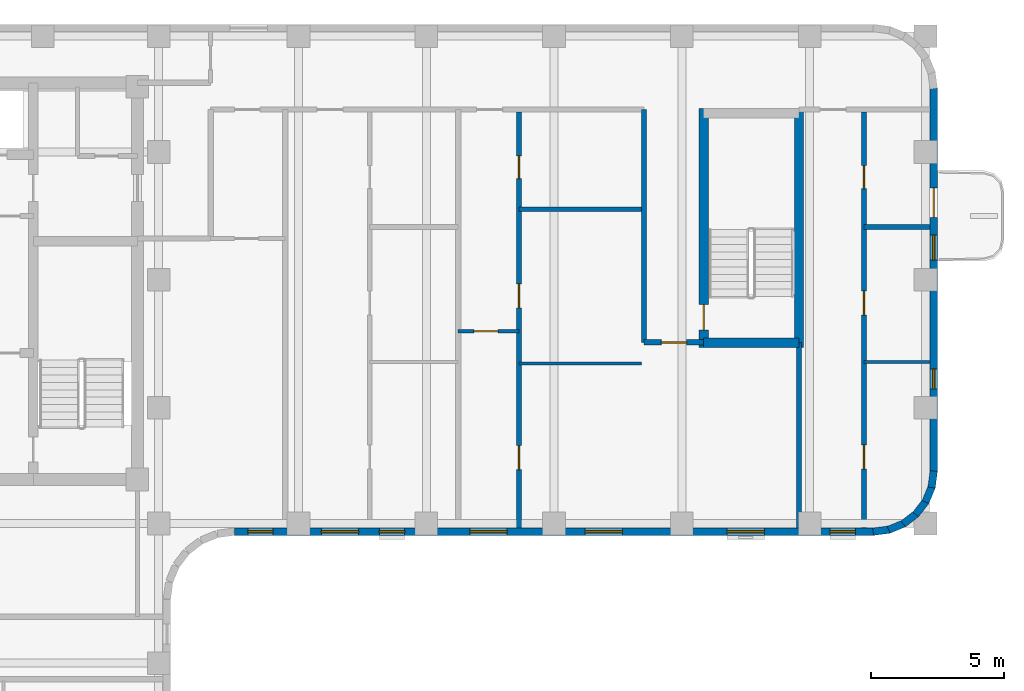
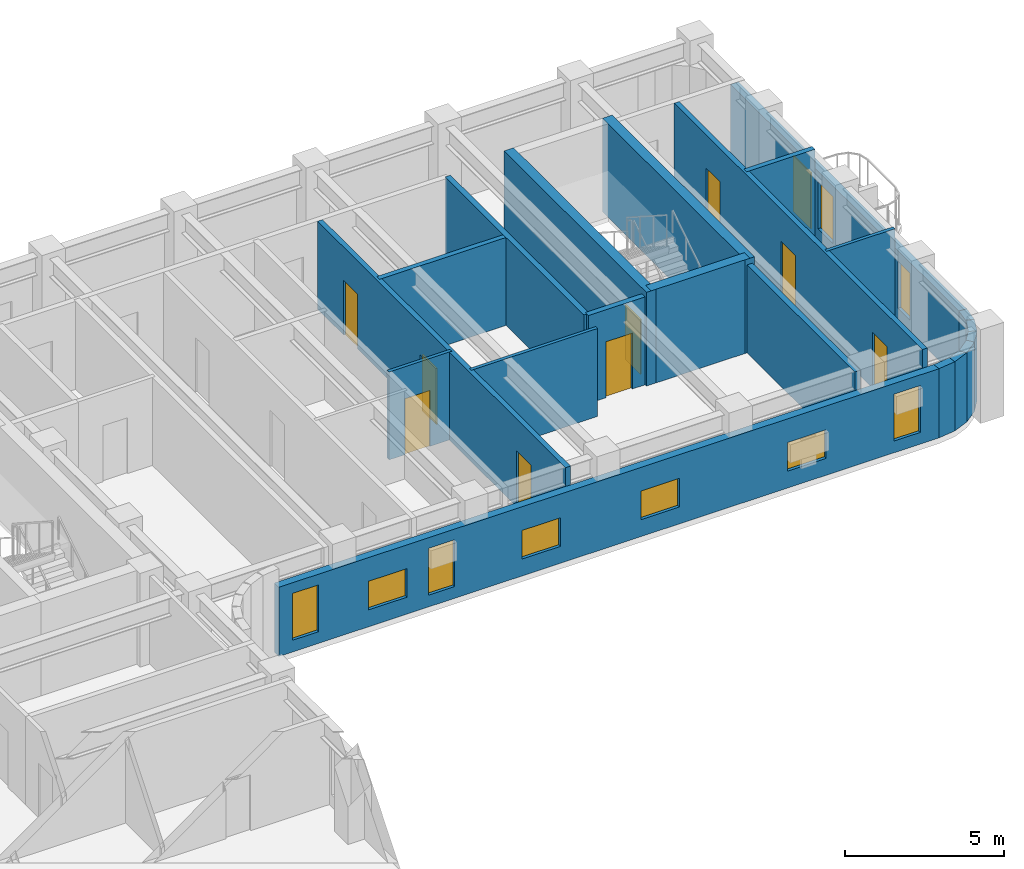
# One storey, part 5 of 10: 21 walls, 10 doors, 9 windows, 19 openings.
"""IFC4 building model written with IfcOpenShell, lengths in metres."""

from ifc_helpers import new_model, si_unit, direction, frame, frame_2d, origin, place, context, subcontext, project, spatial, rectangle, extrude, material, layer, layer_set, type_object, element, fill, save


model = new_model("IFC4")

# Units and contexts
model_context = context("Model", 3, precision=1e-05, world=origin(), true_north=direction((0.0, 1.0)))
body_context = subcontext(model_context, "Body", "Model", "MODEL_VIEW")
ifc_project = project(units=[si_unit("LENGTHUNIT", "METRE"), si_unit("AREAUNIT", "SQUARE_METRE"), si_unit("VOLUMEUNIT", "CUBIC_METRE"), si_unit("PLANEANGLEUNIT", "RADIAN"), si_unit("MASSUNIT", "GRAM", prefix="KILO")], contexts=[model_context])

# Site, building, storey
site_placement = place(None, origin())
site = spatial("IfcSite", under=ifc_project, at=site_placement, CompositionType="ELEMENT")
building_placement = place(site_placement, origin())
building = spatial("IfcBuilding", under=site, at=building_placement, Name="Orvandelia Arch Residences", CompositionType="ELEMENT")
storey_placement = place(building_placement, frame((0.0, 0.0, 207.39990234375)))
storey = spatial("IfcBuildingStorey", under=building, at=storey_placement, Name="L54", CompositionType="ELEMENT", Elevation=207.39990234375)

# Wall, opening, door
ifc_material_1 = material(Name="Concrete C50/60", Category="concrete")
ifc_layer_1 = layer(ifc_material_1, 0.35009765625, Name="Concrete C50/60", Category="concrete")
ifc_layer_set_1 = layer_set([ifc_layer_1], Name="Concrete C50/60")
wall_type_1 = type_object("IfcWallType", Name="WL-CORE-350", PredefinedType="SHEAR", material=ifc_layer_set_1)
wall_1_placement = place(storey_placement, frame((44.02001953125, 35.864990234375, 0.0), z_axis=(0.0, 0.0, 1.0), x_axis=(0.0, 1.0, 0.0)))
wall_1 = element("IfcWall", 1, at=wall_1_placement, inside=storey, type_object=wall_type_1, Name="East Stair Core Shear Wall L54-W", PredefinedType="SHEAR", context=body_context, shape_type="SweptSolid", body=[
    extrude(rectangle(XDim=8.969970703125, YDim=0.35009765625, at=frame_2d((4.48486328125, 0.0))), origin(), (0.0, 0.0, 1.0), 3.60009765625),
])
opening_1_placement = place(wall_1_placement, frame((0.64990234375, 0.0, 0.0)))
opening_1 = element("IfcOpeningElement", 2, at=opening_1_placement, cuts=wall_1, Name="Opening D7", PredefinedType="OPENING", context=body_context, shape_type="SweptSolid", body=[
    extrude(rectangle(XDim=0.949951171875, YDim=2.10009765625, at=frame_2d((0.47509765625, 1.050048828125))), frame((0.0, 0.18505859375, 0.0), z_axis=(0.0, -1.0, 0.0), x_axis=(1.0, 0.0, 0.0)), (0.0, 0.0, 1.0), 0.3701171875),
])
ifc_material_2 = material(Name="Pressurised Stairwell Fire Door")
door_type_1 = type_object("IfcDoorType", Name="DR-STAIR-950", OperationType="NOTDEFINED", PredefinedType="DOOR", material=ifc_material_2)
door_1_placement = place(opening_1_placement, origin())
door_1 = element("IfcDoor", 3, at=door_1_placement, inside=storey, type_object=door_type_1, Name="East Stairwell ST-3 Fire Door L54", OperationType="SINGLE_SWING_LEFT", OverallHeight=2.10009765625, OverallWidth=0.949951171875, PredefinedType="DOOR", context=body_context, shape_type="SweptSolid", body=[
    extrude(rectangle(XDim=0.949951171875, YDim=2.10009765625, at=frame_2d((0.47509765625, 1.050048828125))), frame((0.0, 0.02490234375, 0.0), z_axis=(0.0, -1.0, 0.0), x_axis=(1.0, 0.0, 0.0)), (0.0, 0.0, 1.0), 0.050048828125),
])
fill(opening_1, door_1)

# Walls
wall_2_placement = place(storey_placement, frame((47.60009765625, 35.864990234375, 0.0), z_axis=(0.0, 0.0, 1.0), x_axis=(0.0, 1.0, 0.0)))
element("IfcWall", 4, at=wall_2_placement, inside=storey, type_object=wall_type_1, Name="East Stair Core Shear Wall L54-E", PredefinedType="SHEAR", context=body_context, shape_type="SweptSolid", body=[
    extrude(rectangle(XDim=8.969970703125, YDim=0.35009765625, at=frame_2d((4.48486328125, 0.0))), origin(), (0.0, 0.0, 1.0), 3.60009765625),
])
wall_3_placement = place(storey_placement, frame((44.02001953125, 36.0400390625, 0.0), z_axis=(0.0, 0.0, 1.0), x_axis=(1.0, 0.0, 0.0)))
element("IfcWall", 5, at=wall_3_placement, inside=storey, type_object=wall_type_1, Name="East Stair Core Shear Wall L54-S", PredefinedType="SHEAR", context=body_context, shape_type="SweptSolid", body=[
    extrude(rectangle(XDim=3.580078125, YDim=0.35009765625, at=frame_2d((1.7900390625, 0.0))), origin(), (0.0, 0.0, 1.0), 3.60009765625),
])
ifc_material_3 = material(Name="Fire-Rated Corridor Partition")
ifc_layer_2 = layer(ifc_material_3, 0.199951171875, Name="Fire-Rated Corridor Partition")
ifc_layer_set_2 = layer_set([ifc_layer_2], Name="Fire-Rated Corridor Partition")
wall_type_2 = type_object("IfcWallType", Name="WL-CORR-200", PredefinedType="PARTITIONING", material=ifc_layer_set_2)
wall_4_placement = place(storey_placement, frame((41.780029296875, 36.050048828125, 0.0), z_axis=(0.0, 0.0, 1.0), x_axis=(0.0, 1.0, 0.0)))
element("IfcWall", 6, at=wall_4_placement, inside=storey, type_object=wall_type_2, Name="Interior Partition Wall WL-L54-EN2-SW", PredefinedType="PARTITIONING", context=body_context, shape_type="SweptSolid", body=[
    extrude(rectangle(XDim=8.75, YDim=0.199951171875, at=frame_2d((4.375, 0.0))), origin(), (0.0, 0.0, 1.0), 3.380126953125),
])

# Wall, opening, door
wall_5_placement = place(storey_placement, frame((41.780029296875, 36.050048828125, 0.0), z_axis=(0.0, 0.0, 1.0), x_axis=(1.0, 0.0, 0.0)))
wall_5 = element("IfcWall", 7, at=wall_5_placement, inside=storey, type_object=wall_type_2, Name="Interior Partition Wall WL-L54-EN2-SS", PredefinedType="PARTITIONING", context=body_context, shape_type="SweptSolid", body=[
    extrude(rectangle(XDim=2.239990234375, YDim=0.199951171875, at=frame_2d((1.1201171875, 0.0))), origin(), (0.0, 0.0, 1.0), 3.380126953125),
])
opening_2_placement = place(wall_5_placement, frame((0.64990234375, 0.0, 0.0)))
opening_2 = element("IfcOpeningElement", 8, at=opening_2_placement, cuts=wall_5, Name="Opening D2", PredefinedType="OPENING", context=body_context, shape_type="SweptSolid", body=[
    extrude(rectangle(XDim=0.949951171875, YDim=2.14990234375, at=frame_2d((0.47509765625, 1.074951171875))), frame((0.0, 0.10986328125, 0.0), z_axis=(0.0, -1.0, 0.0), x_axis=(1.0, 0.0, 0.0)), (0.0, 0.0, 1.0), 0.219970703125),
])
ifc_material_4 = material(Name="Solid-Core Timber Interior Fire Door", Category="wood")
door_type_2 = type_object("IfcDoorType", Name="DR-APT-950", OperationType="NOTDEFINED", PredefinedType="DOOR", material=ifc_material_4)
door_2_placement = place(opening_2_placement, origin())
door_2 = element("IfcDoor", 9, at=door_2_placement, inside=storey, type_object=door_type_2, Name="DR-L54-EN2SLN", OperationType="SINGLE_SWING_LEFT", OverallHeight=2.14990234375, OverallWidth=0.949951171875, PredefinedType="DOOR", context=body_context, shape_type="SweptSolid", body=[
    extrude(rectangle(XDim=0.949951171875, YDim=2.14990234375, at=frame_2d((0.47509765625, 1.074951171875))), frame((0.0, 0.02490234375, 0.0), z_axis=(0.0, -1.0, 0.0), x_axis=(1.0, 0.0, 0.0)), (0.0, 0.0, 1.0), 0.050048828125),
])
fill(opening_2, door_2)

# Wall
ifc_material_5 = material(Name="Concrete C40/50", Category="concrete")
ifc_layer_3 = layer(ifc_material_5, 0.199951171875, Name="Concrete C40/50", Category="concrete")
ifc_layer_set_3 = layer_set([ifc_layer_3], Name="Concrete C40/50")
wall_type_3 = type_object("IfcWallType", Name="WL-DEM-200", PredefinedType="SOLIDWALL", material=ifc_layer_set_3)
wall_6_placement = place(storey_placement, frame((47.60009765625, 29.080078125, 0.0), z_axis=(0.0, 0.0, 1.0), x_axis=(0.0, 1.0, 0.0)))
element("IfcWall", 10, at=wall_6_placement, inside=storey, type_object=wall_type_3, Name="Interior Partition Wall WL-L54-EN2-SLE", PredefinedType="SOLIDWALL", context=body_context, shape_type="SweptSolid", body=[
    extrude(rectangle(XDim=6.9599609375, YDim=0.199951171875, at=frame_2d((3.47998046875, 0.0))), origin(), (0.0, 0.0, 1.0), 3.380126953125),
])

# Wall, openings, door, windows
ifc_material_6 = material(Name="Precast concrete C40/50", Category="concrete")
ifc_layer_4 = layer(ifc_material_6, 0.280029296875, Name="Precast concrete C40/50", Category="concrete")
ifc_layer_set_4 = layer_set([ifc_layer_4], Name="Precast concrete C40/50")
wall_type_4 = type_object("IfcWallType", Name="WL-EXT-STONE-280", PredefinedType="STANDARD", material=ifc_layer_set_4)
wall_7_placement = place(storey_placement, frame((52.659912109375, 45.60009765625, 0.0), z_axis=(0.0, 0.0, 1.0), x_axis=(0.0, -1.0, 0.0)))
wall_7 = element("IfcWall", 11, at=wall_7_placement, inside=storey, type_object=wall_type_4, Name="Coral-Limestone Precast Facade Wall L54-014", PredefinedType="STANDARD", context=body_context, shape_type="SweptSolid", body=[
    extrude(rectangle(XDim=14.400146484375, YDim=0.280029296875, at=frame_2d((7.2001953125, 0.0))), origin(), (0.0, 0.0, 1.0), 2.66015625),
])
opening_3_placement = place(wall_7_placement, frame((3.75, 0.0, 0.0)))
opening_3 = element("IfcOpeningElement", 12, at=opening_3_placement, cuts=wall_7, Name="Opening BD1", PredefinedType="OPENING", context=body_context, shape_type="SweptSolid", body=[
    extrude(rectangle(XDim=1.10009765625, YDim=2.14990234375, at=frame_2d((0.550048828125, 1.074951171875))), frame((0.0, 0.14990234375, 0.0), z_axis=(0.0, -1.0, 0.0), x_axis=(1.0, 0.0, 0.0)), (0.0, 0.0, 1.0), 0.300048828125),
])
opening_4_placement = place(wall_7_placement, frame((10.54443359375, 0.0, 0.449951171875)))
opening_4 = element("IfcOpeningElement", 13, at=opening_4_placement, cuts=wall_7, Name="Opening W11", PredefinedType="OPENING", context=body_context, shape_type="SweptSolid", body=[
    extrude(rectangle(XDim=0.75, YDim=1.800048828125, at=frame_2d((0.375, 0.89990234375))), frame((0.0, 0.14990234375, 0.0), z_axis=(0.0, -1.0, 0.0), x_axis=(1.0, 0.0, 0.0)), (0.0, 0.0, 1.0), 0.300048828125),
])
opening_5_placement = place(wall_7_placement, frame((5.510986328125, 0.0, 0.449951171875)))
opening_5 = element("IfcOpeningElement", 14, at=opening_5_placement, cuts=wall_7, Name="Opening W4", PredefinedType="OPENING", context=body_context, shape_type="SweptSolid", body=[
    extrude(rectangle(XDim=0.949951171875, YDim=1.800048828125, at=frame_2d((0.47509765625, 0.89990234375))), frame((0.0, 0.14990234375, 0.0), z_axis=(0.0, -1.0, 0.0), x_axis=(1.0, 0.0, 0.0)), (0.0, 0.0, 1.0), 0.300048828125),
])
ifc_material_7 = material(Name="Thermally Broken Aluminium Glazed Door", Category="aluminium")
door_type_3 = type_object("IfcDoorType", Name="DR-BAL-GLAZ-1100", OperationType="NOTDEFINED", PredefinedType="DOOR", material=ifc_material_7)
door_3_placement = place(opening_3_placement, origin())
door_3 = element("IfcDoor", 15, at=door_3_placement, inside=storey, type_object=door_type_3, Name="Tree Balcony Glazed Door BAL-L54-E1", OperationType="SINGLE_SWING_LEFT", OverallHeight=2.14990234375, OverallWidth=1.10009765625, PredefinedType="DOOR", context=body_context, shape_type="SweptSolid", body=[
    extrude(rectangle(XDim=1.10009765625, YDim=2.14990234375, at=frame_2d((0.550048828125, 1.074951171875))), frame((0.0, 0.02490234375, 0.0), z_axis=(0.0, -1.0, 0.0), x_axis=(1.0, 0.0, 0.0)), (0.0, 0.0, 1.0), 0.050048828125),
])
fill(opening_3, door_3)
ifc_material_8 = material(Name="Tempered Low-E Insulated Glazing", Category="glass")
window_type_1 = type_object("IfcWindowType", Name="WIN-BED-0750x1800", PartitioningType="SINGLE_PANEL", PredefinedType="WINDOW", material=ifc_material_8)
window_1_placement = place(opening_4_placement, origin())
window_1 = element("IfcWindow", 16, at=window_1_placement, inside=storey, type_object=window_type_1, Name="Recessed Punched Window L54-004", OverallHeight=1.800048828125, OverallWidth=0.75, PartitioningType="SINGLE_PANEL", PredefinedType="WINDOW", context=body_context, shape_type="SweptSolid", body=[
    extrude(rectangle(XDim=0.75, YDim=1.800048828125, at=frame_2d((0.375, 0.89990234375))), frame((0.0, 0.030029296875, 0.0), z_axis=(0.0, -1.0, 0.0), x_axis=(1.0, 0.0, 0.0)), (0.0, 0.0, 1.0), 0.06005859375),
])
fill(opening_4, window_1)
window_type_2 = type_object("IfcWindowType", Name="WIN-RES-0950x1800", PartitioningType="SINGLE_PANEL", PredefinedType="WINDOW", material=ifc_material_8)
window_2_placement = place(opening_5_placement, origin())
window_2 = element("IfcWindow", 17, at=window_2_placement, inside=storey, type_object=window_type_2, Name="Recessed Punched Window L54-005", OverallHeight=1.800048828125, OverallWidth=0.949951171875, PartitioningType="SINGLE_PANEL", PredefinedType="WINDOW", context=body_context, shape_type="SweptSolid", body=[
    extrude(rectangle(XDim=0.949951171875, YDim=1.800048828125, at=frame_2d((0.47509765625, 0.89990234375))), frame((0.0, 0.030029296875, 0.0), z_axis=(0.0, -1.0, 0.0), x_axis=(1.0, 0.0, 0.0)), (0.0, 0.0, 1.0), 0.06005859375),
])
fill(opening_5, window_2)

# Walls
wall_8_placement = place(storey_placement, frame((52.6611328125, 31.21826171875, 0.0), z_axis=(0.0, 0.0, 1.0), x_axis=(-0.130555323746, -0.9914410257, 0.0)))
element("IfcWall", 18, at=wall_8_placement, inside=storey, type_object=wall_type_4, Name="Coral-Limestone Precast Facade Wall L54-015", PredefinedType="STANDARD", context=body_context, shape_type="SweptSolid", body=[
    extrude(rectangle(XDim=0.62646484375, YDim=0.280029296875, at=frame_2d((0.313232421875, 0.0))), origin(), (0.0, 0.0, 1.0), 2.66015625),
])
wall_9_placement = place(storey_placement, frame((52.5888671875, 30.63232421875, 0.0), z_axis=(0.0, 0.0, 1.0), x_axis=(-0.382787856107, -0.923836271867, 0.0)))
element("IfcWall", 19, at=wall_9_placement, inside=storey, type_object=wall_type_4, Name="Coral-Limestone Precast Facade Wall L54-016", PredefinedType="STANDARD", context=body_context, shape_type="SweptSolid", body=[
    extrude(rectangle(XDim=0.626220703125, YDim=0.280029296875, at=frame_2d((0.31298828125, 0.0))), origin(), (0.0, 0.0, 1.0), 2.66015625),
])
for number, where, z_axis, x_axis, name in (
    (20, (52.367431640625, 30.085205078125, 0.0), (0.0, 0.0, 1.0), (-0.608693302629, -0.793405610854, 0.0), "Coral-Limestone Precast Facade Wall L54-017"),
    (21, (52.011962890625, 29.614013671875, 0.0), (0.0, 0.0, 1.0), (-0.793405610854, -0.608693302629, 0.0), "Coral-Limestone Precast Facade Wall L54-018"),
    (22, (51.54638671875, 29.250732421875, 0.0), (0.0, 0.0, 1.0), (-0.92389335771, -0.382650053678, 0.0), "Coral-Limestone Precast Facade Wall L54-019"),
):
    element("IfcWall", number, at=place(storey_placement, frame(where, z_axis=z_axis, x_axis=x_axis)), inside=storey, type_object=wall_type_4, Name=name, PredefinedType="STANDARD", context=body_context, shape_type="SweptSolid", body=[
        extrude(rectangle(XDim=0.62646484375, YDim=0.280029296875, at=frame_2d((0.313232421875, 0.0))), origin(), (0.0, 0.0, 1.0), 2.66015625),
    ])
wall_10_placement = place(storey_placement, frame((51.0029296875, 29.0205078125, 0.0), z_axis=(0.0, 0.0, 1.0), x_axis=(-0.991447664465, -0.130504898859, 0.0)))
element("IfcWall", 23, at=wall_10_placement, inside=storey, type_object=wall_type_4, Name="Coral-Limestone Precast Facade Wall L54-020", PredefinedType="STANDARD", context=body_context, shape_type="SweptSolid", body=[
    extrude(rectangle(XDim=0.626708984375, YDim=0.280029296875, at=frame_2d((0.3134765625, 0.0))), origin(), (0.0, 0.0, 1.0), 2.66015625),
])

# Wall, openings, windows
wall_11_placement = place(storey_placement, frame((50.39990234375, 28.93994140625, 0.0), z_axis=(0.0, 0.0, 1.0), x_axis=(-1.0, 0.0, 0.0)))
wall_11 = element("IfcWall", 24, at=wall_11_placement, inside=storey, type_object=wall_type_4, Name="Coral-Limestone Precast Facade Wall L54-021", PredefinedType="STANDARD", context=body_context, shape_type="SweptSolid", body=[
    extrude(rectangle(XDim=24.0, YDim=0.280029296875, at=frame_2d((12.0, 0.0))), origin(), (0.0, 0.0, 1.0), 2.66015625),
])
opening_6_placement = place(wall_11_placement, frame((17.610107421875, 0.0, 0.449951171875)))
opening_6 = element("IfcOpeningElement", 25, at=opening_6_placement, cuts=wall_11, Name="Opening W4", PredefinedType="OPENING", context=body_context, shape_type="SweptSolid", body=[
    extrude(rectangle(XDim=0.949951171875, YDim=1.800048828125, at=frame_2d((0.47509765625, 0.89990234375))), frame((0.0, 0.14990234375, 0.0), z_axis=(0.0, -1.0, 0.0), x_axis=(1.0, 0.0, 0.0)), (0.0, 0.0, 1.0), 0.300048828125),
])
opening_7_placement = place(wall_11_placement, frame((9.4375, 0.0, 0.64990234375)))
opening_7 = element("IfcOpeningElement", 26, at=opening_7_placement, cuts=wall_11, Name="Opening W10", PredefinedType="OPENING", context=body_context, shape_type="SweptSolid", body=[
    extrude(rectangle(XDim=1.39990234375, YDim=1.10009765625, at=frame_2d((0.699951171875, 0.550048828125))), frame((0.0, 0.14990234375, 0.0), z_axis=(0.0, -1.0, 0.0), x_axis=(1.0, 0.0, 0.0)), (0.0, 0.0, 1.0), 0.300048828125),
])
opening_8_placement = place(wall_11_placement, frame((22.554931640625, 0.0, 0.449951171875)))
opening_8 = element("IfcOpeningElement", 27, at=opening_8_placement, cuts=wall_11, Name="Opening W4", PredefinedType="OPENING", context=body_context, shape_type="SweptSolid", body=[
    extrude(rectangle(XDim=0.949951171875, YDim=1.800048828125, at=frame_2d((0.47509765625, 0.89990234375))), frame((0.0, 0.14990234375, 0.0), z_axis=(0.0, -1.0, 0.0), x_axis=(1.0, 0.0, 0.0)), (0.0, 0.0, 1.0), 0.300048828125),
])
opening_9_placement = place(wall_11_placement, frame((4.10009765625, 0.0, 0.64990234375)))
opening_9 = element("IfcOpeningElement", 28, at=opening_9_placement, cuts=wall_11, Name="Opening W10", PredefinedType="OPENING", context=body_context, shape_type="SweptSolid", body=[
    extrude(rectangle(XDim=1.39990234375, YDim=1.10009765625, at=frame_2d((0.699951171875, 0.550048828125))), frame((0.0, 0.14990234375, 0.0), z_axis=(0.0, -1.0, 0.0), x_axis=(1.0, 0.0, 0.0)), (0.0, 0.0, 1.0), 0.300048828125),
])
opening_10_placement = place(wall_11_placement, frame((19.340087890625, 0.0, 0.64990234375)))
opening_10 = element("IfcOpeningElement", 29, at=opening_10_placement, cuts=wall_11, Name="Opening W10", PredefinedType="OPENING", context=body_context, shape_type="SweptSolid", body=[
    extrude(rectangle(XDim=1.39990234375, YDim=1.10009765625, at=frame_2d((0.699951171875, 0.550048828125))), frame((0.0, 0.14990234375, 0.0), z_axis=(0.0, -1.0, 0.0), x_axis=(1.0, 0.0, 0.0)), (0.0, 0.0, 1.0), 0.300048828125),
])
opening_11_placement = place(wall_11_placement, frame((13.760009765625, 0.0, 0.64990234375)))
opening_11 = element("IfcOpeningElement", 30, at=opening_11_placement, cuts=wall_11, Name="Opening W10", PredefinedType="OPENING", context=body_context, shape_type="SweptSolid", body=[
    extrude(rectangle(XDim=1.39990234375, YDim=1.10009765625, at=frame_2d((0.699951171875, 0.550048828125))), frame((0.0, 0.14990234375, 0.0), z_axis=(0.0, -1.0, 0.0), x_axis=(1.0, 0.0, 0.0)), (0.0, 0.0, 1.0), 0.300048828125),
])
opening_12_placement = place(wall_11_placement, frame((0.680908203125, 0.0, 0.449951171875)))
opening_12 = element("IfcOpeningElement", 31, at=opening_12_placement, cuts=wall_11, Name="Opening W4", PredefinedType="OPENING", context=body_context, shape_type="SweptSolid", body=[
    extrude(rectangle(XDim=0.949951171875, YDim=1.800048828125, at=frame_2d((0.47509765625, 0.89990234375))), frame((0.0, 0.14990234375, 0.0), z_axis=(0.0, -1.0, 0.0), x_axis=(1.0, 0.0, 0.0)), (0.0, 0.0, 1.0), 0.300048828125),
])
window_type_3 = type_object("IfcWindowType", Name="WIN-CLR-1400x1100", PartitioningType="SINGLE_PANEL", PredefinedType="WINDOW", material=ifc_material_8)
window_3_placement = place(opening_7_placement, origin())
window_3 = element("IfcWindow", 32, at=window_3_placement, inside=storey, type_object=window_type_3, Name="Recessed Punched Window L54-007", OverallHeight=1.10009765625, OverallWidth=1.39990234375, PartitioningType="SINGLE_PANEL", PredefinedType="WINDOW", context=body_context, shape_type="SweptSolid", body=[
    extrude(rectangle(XDim=1.39990234375, YDim=1.10009765625, at=frame_2d((0.699951171875, 0.550048828125))), frame((0.0, 0.030029296875, 0.0), z_axis=(0.0, -1.0, 0.0), x_axis=(1.0, 0.0, 0.0)), (0.0, 0.0, 1.0), 0.06005859375),
])
fill(opening_7, window_3)
window_4_placement = place(opening_9_placement, origin())
window_4 = element("IfcWindow", 33, at=window_4_placement, inside=storey, type_object=window_type_3, Name="Recessed Punched Window L54-009", OverallHeight=1.10009765625, OverallWidth=1.39990234375, PartitioningType="SINGLE_PANEL", PredefinedType="WINDOW", context=body_context, shape_type="SweptSolid", body=[
    extrude(rectangle(XDim=1.39990234375, YDim=1.10009765625, at=frame_2d((0.699951171875, 0.550048828125))), frame((0.0, 0.030029296875, 0.0), z_axis=(0.0, -1.0, 0.0), x_axis=(1.0, 0.0, 0.0)), (0.0, 0.0, 1.0), 0.06005859375),
])
fill(opening_9, window_4)
window_5_placement = place(opening_10_placement, origin())
window_5 = element("IfcWindow", 34, at=window_5_placement, inside=storey, type_object=window_type_3, Name="Recessed Punched Window L54-010", OverallHeight=1.10009765625, OverallWidth=1.39990234375, PartitioningType="SINGLE_PANEL", PredefinedType="WINDOW", context=body_context, shape_type="SweptSolid", body=[
    extrude(rectangle(XDim=1.39990234375, YDim=1.10009765625, at=frame_2d((0.699951171875, 0.550048828125))), frame((0.0, 0.030029296875, 0.0), z_axis=(0.0, -1.0, 0.0), x_axis=(1.0, 0.0, 0.0)), (0.0, 0.0, 1.0), 0.06005859375),
])
fill(opening_10, window_5)
window_6_placement = place(opening_11_placement, origin())
window_6 = element("IfcWindow", 35, at=window_6_placement, inside=storey, type_object=window_type_3, Name="Recessed Punched Window L54-011", OverallHeight=1.10009765625, OverallWidth=1.39990234375, PartitioningType="SINGLE_PANEL", PredefinedType="WINDOW", context=body_context, shape_type="SweptSolid", body=[
    extrude(rectangle(XDim=1.39990234375, YDim=1.10009765625, at=frame_2d((0.699951171875, 0.550048828125))), frame((0.0, 0.030029296875, 0.0), z_axis=(0.0, -1.0, 0.0), x_axis=(1.0, 0.0, 0.0)), (0.0, 0.0, 1.0), 0.06005859375),
])
fill(opening_11, window_6)
window_7_placement = place(opening_6_placement, origin())
window_7 = element("IfcWindow", 36, at=window_7_placement, inside=storey, type_object=window_type_2, Name="Recessed Punched Window L54-006", OverallHeight=1.800048828125, OverallWidth=0.949951171875, PartitioningType="SINGLE_PANEL", PredefinedType="WINDOW", context=body_context, shape_type="SweptSolid", body=[
    extrude(rectangle(XDim=0.949951171875, YDim=1.800048828125, at=frame_2d((0.47509765625, 0.89990234375))), frame((0.0, 0.030029296875, 0.0), z_axis=(0.0, -1.0, 0.0), x_axis=(1.0, 0.0, 0.0)), (0.0, 0.0, 1.0), 0.06005859375),
])
fill(opening_6, window_7)
window_8_placement = place(opening_8_placement, origin())
window_8 = element("IfcWindow", 37, at=window_8_placement, inside=storey, type_object=window_type_2, Name="Recessed Punched Window L54-008", OverallHeight=1.800048828125, OverallWidth=0.949951171875, PartitioningType="SINGLE_PANEL", PredefinedType="WINDOW", context=body_context, shape_type="SweptSolid", body=[
    extrude(rectangle(XDim=0.949951171875, YDim=1.800048828125, at=frame_2d((0.47509765625, 0.89990234375))), frame((0.0, 0.030029296875, 0.0), z_axis=(0.0, -1.0, 0.0), x_axis=(1.0, 0.0, 0.0)), (0.0, 0.0, 1.0), 0.06005859375),
])
fill(opening_8, window_8)
window_9_placement = place(opening_12_placement, origin())
window_9 = element("IfcWindow", 38, at=window_9_placement, inside=storey, type_object=window_type_2, Name="Recessed Punched Window L54-012", OverallHeight=1.800048828125, OverallWidth=0.949951171875, PartitioningType="SINGLE_PANEL", PredefinedType="WINDOW", context=body_context, shape_type="SweptSolid", body=[
    extrude(rectangle(XDim=0.949951171875, YDim=1.800048828125, at=frame_2d((0.47509765625, 0.89990234375))), frame((0.0, 0.030029296875, 0.0), z_axis=(0.0, -1.0, 0.0), x_axis=(1.0, 0.0, 0.0)), (0.0, 0.0, 1.0), 0.06005859375),
])
fill(opening_12, window_9)

# Wall, opening, door
ifc_material_9 = material(Name="Lightweight Gypsum Stud Partition")
ifc_layer_5 = layer(ifc_material_9, 0.1201171875, Name="Lightweight Gypsum Stud Partition")
ifc_layer_set_5 = layer_set([ifc_layer_5], Name="Lightweight Gypsum Stud Partition")
wall_type_5 = type_object("IfcWallType", Name="WL-PART-120", PredefinedType="PARTITIONING", material=ifc_layer_set_5)
wall_12_placement = place(storey_placement, frame((34.800048828125, 36.468017578125, 0.0), z_axis=(0.0, 0.0, 1.0), x_axis=(1.0, 0.0, 0.0)))
wall_12 = element("IfcWall", 39, at=wall_12_placement, inside=storey, type_object=wall_type_5, Name="Interior Partition Wall WL-L54-U04-DIN", PredefinedType="PARTITIONING", context=body_context, shape_type="SweptSolid", body=[
    extrude(rectangle(XDim=2.280029296875, YDim=0.1201171875, at=frame_2d((1.14013671875, 0.0))), origin(), (0.0, 0.0, 1.0), 3.380126953125),
])
opening_13_placement = place(wall_12_placement, frame((0.5849609375, 0.0, 0.0)))
opening_13 = element("IfcOpeningElement", 40, at=opening_13_placement, cuts=wall_12, Name="Opening D3", PredefinedType="OPENING", context=body_context, shape_type="SweptSolid", body=[
    extrude(rectangle(XDim=0.89990234375, YDim=2.14990234375, at=frame_2d((0.449951171875, 1.074951171875))), frame((0.0, 0.070068359375, 0.0), z_axis=(0.0, -1.0, 0.0), x_axis=(1.0, 0.0, 0.0)), (0.0, 0.0, 1.0), 0.14013671875),
])
ifc_material_10 = material(Name="Engineered Timber Flush Door", Category="wood")
door_type_4 = type_object("IfcDoorType", Name="DR-INT-900", OperationType="NOTDEFINED", PredefinedType="DOOR", material=ifc_material_10)
door_4_placement = place(opening_13_placement, origin())
door_4 = element("IfcDoor", 41, at=door_4_placement, inside=storey, type_object=door_type_4, Name="DR-L54-U04-DIN", OperationType="SINGLE_SWING_LEFT", OverallHeight=2.14990234375, OverallWidth=0.89990234375, PredefinedType="DOOR", context=body_context, shape_type="SweptSolid", body=[
    extrude(rectangle(XDim=0.89990234375, YDim=2.14990234375, at=frame_2d((0.449951171875, 1.074951171875))), frame((0.0, 0.02490234375, 0.0), z_axis=(0.0, -1.0, 0.0), x_axis=(1.0, 0.0, 0.0)), (0.0, 0.0, 1.0), 0.050048828125),
])
fill(opening_13, door_4)

# Walls
wall_13_placement = place(storey_placement, frame((37.080078125, 35.2548828125, 0.0), z_axis=(0.0, 0.0, 1.0), x_axis=(1.0, 0.0, 0.0)))
element("IfcWall", 42, at=wall_13_placement, inside=storey, type_object=wall_type_5, Name="Interior Partition Wall WL-L54-U04-H1", PredefinedType="PARTITIONING", context=body_context, shape_type="SweptSolid", body=[
    extrude(rectangle(XDim=4.599853515625, YDim=0.1201171875, at=frame_2d((2.2998046875, 0.0))), origin(), (0.0, 0.0, 1.0), 3.380126953125),
])
wall_14_placement = place(storey_placement, frame((50.04296875, 35.31591796875, 0.0), z_axis=(0.0, 0.0, 1.0), x_axis=(1.0, 0.0, 0.0)))
element("IfcWall", 43, at=wall_14_placement, inside=storey, type_object=wall_type_5, Name="Interior Partition Wall WL-L54-U05-H1", PredefinedType="PARTITIONING", context=body_context, shape_type="SweptSolid", body=[
    extrude(rectangle(XDim=2.47705078125, YDim=0.1201171875, at=frame_2d((1.238525390625, 0.0))), origin(), (0.0, 0.0, 1.0), 3.380126953125),
])

# Wall, openings, doors
ifc_material_11 = material(Name="Moisture-Resistant Plumbing Wall")
ifc_layer_6 = layer(ifc_material_11, 0.179931640625, Name="Moisture-Resistant Plumbing Wall")
ifc_layer_set_6 = layer_set([ifc_layer_6], Name="Moisture-Resistant Plumbing Wall")
wall_type_6 = type_object("IfcWallType", Name="WL-WET-180", PredefinedType="PLUMBINGWALL", material=ifc_layer_set_6)
wall_15_placement = place(storey_placement, frame((37.080078125, 29.080078125, 0.0), z_axis=(0.0, 0.0, 1.0), x_axis=(0.0, 1.0, 0.0)))
wall_15 = element("IfcWall", 44, at=wall_15_placement, inside=storey, type_object=wall_type_6, Name="Interior Partition Wall WL-L54-U04-VT", PredefinedType="PLUMBINGWALL", context=body_context, shape_type="SweptSolid", body=[
    extrude(rectangle(XDim=15.619873046875, YDim=0.179931640625, at=frame_2d((7.81005859375, 0.0))), origin(), (0.0, 0.0, 1.0), 3.380126953125),
])
opening_14_placement = place(wall_15_placement, frame((2.1953125, 0.0, 0.0)))
opening_14 = element("IfcOpeningElement", 45, at=opening_14_placement, cuts=wall_15, Name="Opening D3", PredefinedType="OPENING", context=body_context, shape_type="SweptSolid", body=[
    extrude(rectangle(XDim=0.89990234375, YDim=2.14990234375, at=frame_2d((0.449951171875, 1.074951171875))), frame((0.0, 0.10009765625, 0.0), z_axis=(0.0, -1.0, 0.0), x_axis=(1.0, 0.0, 0.0)), (0.0, 0.0, 1.0), 0.199951171875),
])
opening_15_placement = place(wall_15_placement, frame((8.26513671875, 0.0, 0.0)))
opening_15 = element("IfcOpeningElement", 46, at=opening_15_placement, cuts=wall_15, Name="Opening D3", PredefinedType="OPENING", context=body_context, shape_type="SweptSolid", body=[
    extrude(rectangle(XDim=0.89990234375, YDim=2.14990234375, at=frame_2d((0.449951171875, 1.074951171875))), frame((0.0, 0.10009765625, 0.0), z_axis=(0.0, -1.0, 0.0), x_axis=(1.0, 0.0, 0.0)), (0.0, 0.0, 1.0), 0.199951171875),
])
opening_16_placement = place(wall_15_placement, frame((13.117431640625, 0.0, 0.0)))
opening_16 = element("IfcOpeningElement", 47, at=opening_16_placement, cuts=wall_15, Name="Opening D4", PredefinedType="OPENING", context=body_context, shape_type="SweptSolid", body=[
    extrude(rectangle(XDim=0.860107421875, YDim=2.10009765625, at=frame_2d((0.43017578125, 1.050048828125))), frame((0.0, 0.10009765625, 0.0), z_axis=(0.0, -1.0, 0.0), x_axis=(1.0, 0.0, 0.0)), (0.0, 0.0, 1.0), 0.199951171875),
])
door_5_placement = place(opening_14_placement, origin())
door_5 = element("IfcDoor", 48, at=door_5_placement, inside=storey, type_object=door_type_4, Name="DR-L54-U04-BD1", OperationType="SINGLE_SWING_RIGHT", OverallHeight=2.14990234375, OverallWidth=0.89990234375, PredefinedType="DOOR", context=body_context, shape_type="SweptSolid", body=[
    extrude(rectangle(XDim=0.89990234375, YDim=2.14990234375, at=frame_2d((0.449951171875, 1.074951171875))), frame((0.0, 0.02490234375, 0.0), z_axis=(0.0, -1.0, 0.0), x_axis=(1.0, 0.0, 0.0)), (0.0, 0.0, 1.0), 0.050048828125),
])
fill(opening_14, door_5)
door_6_placement = place(opening_15_placement, origin())
door_6 = element("IfcDoor", 49, at=door_6_placement, inside=storey, type_object=door_type_4, Name="DR-L54-U04-KIT", OperationType="SINGLE_SWING_LEFT", OverallHeight=2.14990234375, OverallWidth=0.89990234375, PredefinedType="DOOR", context=body_context, shape_type="SweptSolid", body=[
    extrude(rectangle(XDim=0.89990234375, YDim=2.14990234375, at=frame_2d((0.449951171875, 1.074951171875))), frame((0.0, 0.02490234375, 0.0), z_axis=(0.0, -1.0, 0.0), x_axis=(1.0, 0.0, 0.0)), (0.0, 0.0, 1.0), 0.050048828125),
])
fill(opening_15, door_6)
ifc_material_12 = material(Name="Moisture-Sealed Timber Bathroom Door", Category="wood")
door_type_5 = type_object("IfcDoorType", Name="DR-WET-900", OperationType="NOTDEFINED", PredefinedType="DOOR", material=ifc_material_12)
door_7_placement = place(opening_16_placement, origin())
door_7 = element("IfcDoor", 50, at=door_7_placement, inside=storey, type_object=door_type_5, Name="DR-L54-U04-BTH", OperationType="SINGLE_SWING_RIGHT", OverallHeight=2.10009765625, OverallWidth=0.860107421875, PredefinedType="DOOR", context=body_context, shape_type="SweptSolid", body=[
    extrude(rectangle(XDim=0.860107421875, YDim=2.10009765625, at=frame_2d((0.43017578125, 1.050048828125))), frame((0.0, 0.02490234375, 0.0), z_axis=(0.0, -1.0, 0.0), x_axis=(1.0, 0.0, 0.0)), (0.0, 0.0, 1.0), 0.050048828125),
])
fill(opening_16, door_7)

# Wall
wall_16_placement = place(storey_placement, frame((37.080078125, 41.050048828125, 0.0), z_axis=(0.0, 0.0, 1.0), x_axis=(1.0, 0.0, 0.0)))
element("IfcWall", 51, at=wall_16_placement, inside=storey, type_object=wall_type_6, Name="Interior Partition Wall WL-L54-U04-H2", PredefinedType="PLUMBINGWALL", context=body_context, shape_type="SweptSolid", body=[
    extrude(rectangle(XDim=4.599853515625, YDim=0.179931640625, at=frame_2d((2.2998046875, 0.0))), origin(), (0.0, 0.0, 1.0), 3.380126953125),
])

# Wall, openings, doors
wall_17_placement = place(storey_placement, frame((50.04296875, 29.080078125, 0.0), z_axis=(0.0, 0.0, 1.0), x_axis=(0.0, 1.0, 0.0)))
wall_17 = element("IfcWall", 52, at=wall_17_placement, inside=storey, type_object=wall_type_6, Name="Interior Partition Wall WL-L54-U05-VT", PredefinedType="PLUMBINGWALL", context=body_context, shape_type="SweptSolid", body=[
    extrude(rectangle(XDim=15.619873046875, YDim=0.179931640625, at=frame_2d((7.81005859375, 0.0))), origin(), (0.0, 0.0, 1.0), 3.380126953125),
])
opening_17_placement = place(wall_17_placement, frame((2.22265625, 0.0, 0.0)))
opening_17 = element("IfcOpeningElement", 53, at=opening_17_placement, cuts=wall_17, Name="Opening D3", PredefinedType="OPENING", context=body_context, shape_type="SweptSolid", body=[
    extrude(rectangle(XDim=0.89990234375, YDim=2.14990234375, at=frame_2d((0.449951171875, 1.074951171875))), frame((0.0, 0.10009765625, 0.0), z_axis=(0.0, -1.0, 0.0), x_axis=(1.0, 0.0, 0.0)), (0.0, 0.0, 1.0), 0.199951171875),
])
opening_18_placement = place(wall_17_placement, frame((7.998779296875, 0.0, 0.0)))
opening_18 = element("IfcOpeningElement", 54, at=opening_18_placement, cuts=wall_17, Name="Opening D3", PredefinedType="OPENING", context=body_context, shape_type="SweptSolid", body=[
    extrude(rectangle(XDim=0.89990234375, YDim=2.14990234375, at=frame_2d((0.449951171875, 1.074951171875))), frame((0.0, 0.10009765625, 0.0), z_axis=(0.0, -1.0, 0.0), x_axis=(1.0, 0.0, 0.0)), (0.0, 0.0, 1.0), 0.199951171875),
])
opening_19_placement = place(wall_17_placement, frame((12.75048828125, 0.0, 0.0)))
opening_19 = element("IfcOpeningElement", 55, at=opening_19_placement, cuts=wall_17, Name="Opening D4", PredefinedType="OPENING", context=body_context, shape_type="SweptSolid", body=[
    extrude(rectangle(XDim=0.860107421875, YDim=2.10009765625, at=frame_2d((0.43017578125, 1.050048828125))), frame((0.0, 0.10009765625, 0.0), z_axis=(0.0, -1.0, 0.0), x_axis=(1.0, 0.0, 0.0)), (0.0, 0.0, 1.0), 0.199951171875),
])
door_8_placement = place(opening_17_placement, origin())
door_8 = element("IfcDoor", 56, at=door_8_placement, inside=storey, type_object=door_type_4, Name="DR-L54-U05-BD1", OperationType="SINGLE_SWING_LEFT", OverallHeight=2.14990234375, OverallWidth=0.89990234375, PredefinedType="DOOR", context=body_context, shape_type="SweptSolid", body=[
    extrude(rectangle(XDim=0.89990234375, YDim=2.14990234375, at=frame_2d((0.449951171875, 1.074951171875))), frame((0.0, 0.02490234375, 0.0), z_axis=(0.0, -1.0, 0.0), x_axis=(1.0, 0.0, 0.0)), (0.0, 0.0, 1.0), 0.050048828125),
])
fill(opening_17, door_8)
door_9_placement = place(opening_18_placement, origin())
door_9 = element("IfcDoor", 57, at=door_9_placement, inside=storey, type_object=door_type_4, Name="DR-L54-U05-KIT", OperationType="SINGLE_SWING_RIGHT", OverallHeight=2.14990234375, OverallWidth=0.89990234375, PredefinedType="DOOR", context=body_context, shape_type="SweptSolid", body=[
    extrude(rectangle(XDim=0.89990234375, YDim=2.14990234375, at=frame_2d((0.449951171875, 1.074951171875))), frame((0.0, 0.02490234375, 0.0), z_axis=(0.0, -1.0, 0.0), x_axis=(1.0, 0.0, 0.0)), (0.0, 0.0, 1.0), 0.050048828125),
])
fill(opening_18, door_9)
door_10_placement = place(opening_19_placement, origin())
door_10 = element("IfcDoor", 58, at=door_10_placement, inside=storey, type_object=door_type_5, Name="DR-L54-U05-BTH", OperationType="SINGLE_SWING_LEFT", OverallHeight=2.10009765625, OverallWidth=0.860107421875, PredefinedType="DOOR", context=body_context, shape_type="SweptSolid", body=[
    extrude(rectangle(XDim=0.860107421875, YDim=2.10009765625, at=frame_2d((0.43017578125, 1.050048828125))), frame((0.0, 0.02490234375, 0.0), z_axis=(0.0, -1.0, 0.0), x_axis=(1.0, 0.0, 0.0)), (0.0, 0.0, 1.0), 0.050048828125),
])
fill(opening_19, door_10)

# Wall
wall_18_placement = place(storey_placement, frame((50.04296875, 40.383056640625, 0.0), z_axis=(0.0, 0.0, 1.0), x_axis=(1.0, 0.0, 0.0)))
element("IfcWall", 59, at=wall_18_placement, inside=storey, type_object=wall_type_6, Name="Interior Partition Wall WL-L54-U05-H2", PredefinedType="PLUMBINGWALL", context=body_context, shape_type="SweptSolid", body=[
    extrude(rectangle(XDim=2.47705078125, YDim=0.179931640625, at=frame_2d((1.238525390625, 0.0))), origin(), (0.0, 0.0, 1.0), 3.380126953125),
])

save(model, "model.ifc")
